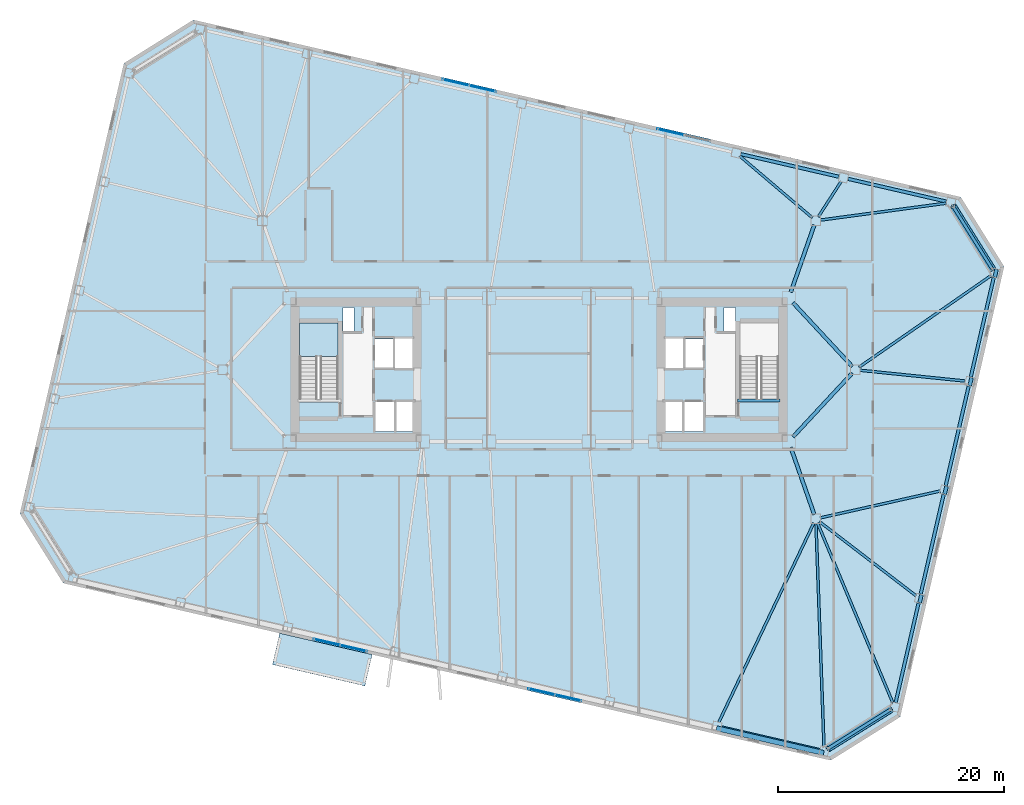
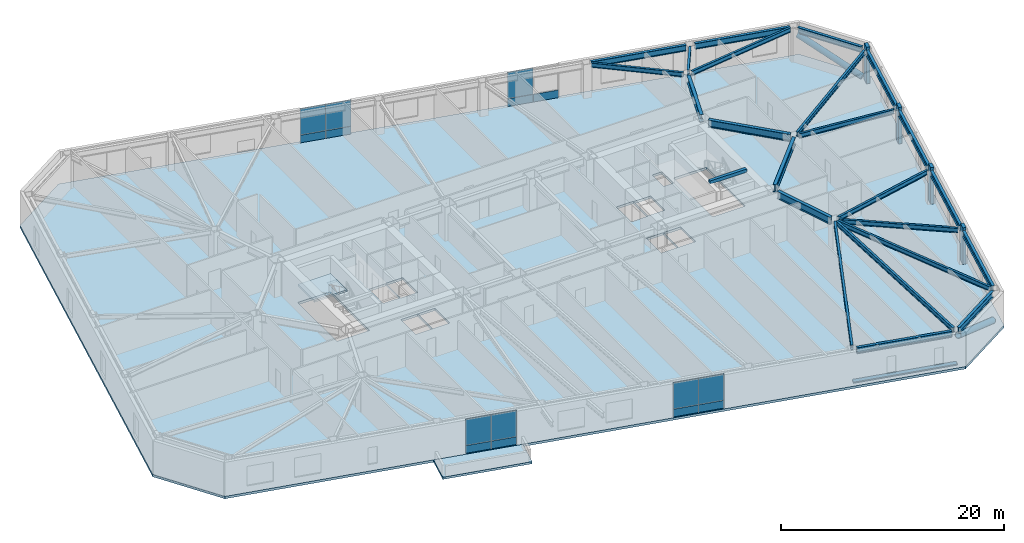
# One storey, part 10 of 22: 24 beams, 15 plates, 7 members, 3 slabs, 5 elements without a shape of their own.
"""IFC4 building model written with IfcOpenShell, lengths in metres."""

from ifc_helpers import new_model, si_unit, direction, frame, origin, origin_2d, place, context, subcontext, project, spatial, polyline, rectangle, hollow_circle, i_section, outline, extrude, material, layer, layer_set, material_profile, profile_set, type_object, element, aggregate, save


model = new_model("IFC4")

# Units and contexts
model_context = context("Model", 3, precision=1e-05, world=origin(), true_north=direction((0.0, 1.0)))
body_context = subcontext(model_context, "Body", "Model", "MODEL_VIEW")
ifc_project = project(units=[si_unit("LENGTHUNIT", "METRE"), si_unit("AREAUNIT", "SQUARE_METRE"), si_unit("VOLUMEUNIT", "CUBIC_METRE"), si_unit("PLANEANGLEUNIT", "RADIAN"), si_unit("MASSUNIT", "GRAM", prefix="KILO")], contexts=[model_context])

# Site, building, storey
site_placement = place(None, origin())
site = spatial("IfcSite", under=ifc_project, at=site_placement, CompositionType="ELEMENT")
building_placement = place(site_placement, origin())
building = spatial("IfcBuilding", under=site, at=building_placement, Name="Tavrogorsk Clinical Tower", CompositionType="ELEMENT")
storey_placement = place(building_placement, frame((0.0, 0.0, 55.39990234375)))
storey = spatial("IfcBuildingStorey", under=building, at=storey_placement, Name="L11", CompositionType="ELEMENT", Elevation=55.39990234375)

# Members
ifc_material_1 = material(Name="Anodised aluminium alloy AW-6063", Category="aluminium")
ifc_material_profile_1 = material_profile(ifc_material_1, rectangle(XDim=0.449951171875, YDim=0.1201171875, at=origin_2d()), Name="ALU-SUNSHADE-450x120")
ifc_profile_set_1 = profile_set([ifc_material_profile_1], Name="Anodised aluminium alloy AW-6063")
member_type_1 = type_object("IfcMemberType", Name="ChicagoSunshade_450x120", PredefinedType="USERDEFINED", material=ifc_profile_set_1)
member_placement = place(storey_placement, frame((15.700439453125, -31.739013671875, 0.18017578125), z_axis=(0.97437219846, -0.224941812182, 0.0), x_axis=(0.224941812182, 0.97437219846, 0.0)))
element("IfcMember", 1, at=member_placement, inside=storey, type_object=member_type_1, Name="L11 South Aluminium Sunshade S7", ObjectType="SUNSHADE", PredefinedType="USERDEFINED", context=body_context, shape_type="SweptSolid", body=[
    extrude(rectangle(XDim=0.449951171875, YDim=0.1201171875, at=origin_2d()), origin(), (0.0, 0.0, 1.0), 9.74853515625),
])
ifc_material_2 = material(Name="Structural steel S440", Category="steel")
ifc_material_profile_2 = material_profile(ifc_material_2, hollow_circle(Radius=0.304931640625, WallThickness=0.02490234375, at=origin_2d()), Name="CHS-610x25")
ifc_profile_set_2 = profile_set([ifc_material_profile_2], Name="Structural steel S440")
member_type_2 = type_object("IfcMemberType", Name="ExoBrace_CHS610", PredefinedType="BRACE", material=ifc_profile_set_2)
for number, where, z_axis, x_axis, name in (
    (2, (31.15185546875, -30.062255859375, 0.442626953125), (-0.794678685861, -0.496570017703, 0.349147538667), (0.529919005048, -0.848048258113, 0.0), "L11 Corner Exoskeleton Brace S8-E1"),
    (3, (40.145751953125, 8.893798828125, 0.442626953125), (-0.496596175948, 0.794664984625, 0.349141518935), (-0.848031606927, -0.529945651603, 0.0), "L11 Corner Exoskeleton Brace E5-N1"),
):
    element("IfcMember", number, at=place(storey_placement, frame(where, z_axis=z_axis, x_axis=x_axis)), inside=storey, type_object=member_type_2, Name=name, PredefinedType="BRACE", context=body_context, shape_type="SweptSolid", body=[
        extrude(hollow_circle(Radius=0.304931640625, WallThickness=0.02490234375, at=origin_2d()), origin(), (0.0, 0.0, 1.0), 7.03173828125),
    ])

# Beams
ifc_material_3 = material(Name="Structural steel S355", Category="steel")
ifc_material_profile_3 = material_profile(ifc_material_3, i_section(OverallWidth=0.219970703125, OverallDepth=0.5, WebThickness=0.012939453125, FlangeThickness=0.02001953125, at=origin_2d()), Name="B-500x220x13x20")
ifc_profile_set_3 = profile_set([ifc_material_profile_3], Name="Structural steel S355")
beam_type_1 = type_object("IfcBeamType", Name="FloorBeam_B500", PredefinedType="BEAM", material=ifc_profile_set_3)
beam_1_placement = place(storey_placement, frame((24.323486328125, -13.570068359375, 3.489990234375), z_axis=(-0.430503237889, -0.90258903282, 0.0), x_axis=(0.90258903282, -0.430503237889, 0.0)))
element("IfcBeam", 4, at=beam_1_placement, inside=storey, type_object=beam_type_1, Name="L11 Radial Floor Beam S7", PredefinedType="BEAM", context=body_context, shape_type="SweptSolid", body=[
    extrude(i_section(OverallWidth=0.219970703125, OverallDepth=0.5, WebThickness=0.012939453125, FlangeThickness=0.02001953125, at=origin_2d()), origin(), (0.0, 0.0, 1.0), 19.527587890625),
])
beam_2_placement = place(storey_placement, frame((24.5146484375, -13.609619140625, 3.489990234375), z_axis=(0.035968399295, -0.999352927775, 0.0), x_axis=(0.999352927775, 0.035968399295, 0.0)))
element("IfcBeam", 5, at=beam_2_placement, inside=storey, type_object=beam_type_1, Name="L11 Radial Floor Beam S8", PredefinedType="BEAM", context=body_context, shape_type="SweptSolid", body=[
    extrude(i_section(OverallWidth=0.219970703125, OverallDepth=0.5, WebThickness=0.012939453125, FlangeThickness=0.02001953125, at=origin_2d()), origin(), (0.0, 0.0, 1.0), 19.751953125),
])
beam_3_placement = place(storey_placement, frame((24.90625, 13.254638671875, 3.489990234375), z_axis=(0.991091561022, 0.133182272357, 0.0), x_axis=(-0.133182272357, 0.991091561022, 0.0)))
element("IfcBeam", 6, at=beam_3_placement, inside=storey, type_object=beam_type_1, Name="L11 Radial Floor Beam N1", PredefinedType="BEAM", context=body_context, shape_type="SweptSolid", body=[
    extrude(i_section(OverallWidth=0.219970703125, OverallDepth=0.5, WebThickness=0.012939453125, FlangeThickness=0.02001953125, at=origin_2d()), origin(), (0.0, 0.0, 1.0), 11.24072265625),
])
beam_4_placement = place(storey_placement, frame((24.722412109375, 13.54443359375, 3.489990234375), z_axis=(0.54237908978, 0.840133872052, 0.0), x_axis=(-0.840133872052, 0.54237908978, 0.0)))
element("IfcBeam", 7, at=beam_4_placement, inside=storey, type_object=beam_type_1, Name="L11 Radial Floor Beam N2", PredefinedType="BEAM", context=body_context, shape_type="SweptSolid", body=[
    extrude(i_section(OverallWidth=0.219970703125, OverallDepth=0.5, WebThickness=0.012939453125, FlangeThickness=0.02001953125, at=origin_2d()), origin(), (0.0, 0.0, 1.0), 3.70361328125),
])
beam_5_placement = place(storey_placement, frame((24.187744140625, 13.465576171875, 3.489990234375), z_axis=(-0.761805700094, 0.647805584496, 0.0), x_axis=(-0.647805584496, -0.761805700094, 0.0)))
element("IfcBeam", 8, at=beam_5_placement, inside=storey, type_object=beam_type_1, Name="L11 Radial Floor Beam N3", PredefinedType="BEAM", context=body_context, shape_type="SweptSolid", body=[
    extrude(i_section(OverallWidth=0.219970703125, OverallDepth=0.5, WebThickness=0.012939453125, FlangeThickness=0.02001953125, at=origin_2d()), origin(), (0.0, 0.0, 1.0), 8.431396484375),
])
beam_6_placement = place(storey_placement, frame((24.658447265625, -13.578125, 3.489990234375), z_axis=(0.386243430459, -0.922396884441, 0.0), x_axis=(0.922396884441, 0.386243430459, 0.0)))
element("IfcBeam", 9, at=beam_6_placement, inside=storey, type_object=beam_type_1, Name="L11 Radial Floor Beam E1", PredefinedType="BEAM", context=body_context, shape_type="SweptSolid", body=[
    extrude(i_section(OverallWidth=0.219970703125, OverallDepth=0.5, WebThickness=0.012939453125, FlangeThickness=0.02001953125, at=origin_2d()), origin(), (0.0, 0.0, 1.0), 17.243408203125),
])
beam_7_placement = place(storey_placement, frame((24.825439453125, -13.449462890625, 3.489990234375), z_axis=(0.7934457884, -0.608640929342, 0.0), x_axis=(0.608640929342, 0.7934457884, 0.0)))
element("IfcBeam", 10, at=beam_7_placement, inside=storey, type_object=beam_type_1, Name="L11 Radial Floor Beam E2", PredefinedType="BEAM", context=body_context, shape_type="SweptSolid", body=[
    extrude(i_section(OverallWidth=0.219970703125, OverallDepth=0.5, WebThickness=0.012939453125, FlangeThickness=0.02001953125, at=origin_2d()), origin(), (0.0, 0.0, 1.0), 10.769287109375),
])
beam_8_placement = place(storey_placement, frame((24.900146484375, -13.1103515625, 3.489990234375), z_axis=(0.975844140255, 0.218467878484, 0.0), x_axis=(-0.218467878484, 0.975844140255, 0.0)))
element("IfcBeam", 11, at=beam_8_placement, inside=storey, type_object=beam_type_1, Name="L11 Radial Floor Beam E3", PredefinedType="BEAM", context=body_context, shape_type="SweptSolid", body=[
    extrude(i_section(OverallWidth=0.219970703125, OverallDepth=0.5, WebThickness=0.012939453125, FlangeThickness=0.02001953125, at=origin_2d()), origin(), (0.0, 0.0, 1.0), 10.876708984375),
])
beam_9_placement = place(storey_placement, frame((28.407958984375, -0.041748046875, 3.489990234375), z_axis=(0.994791610226, -0.101929643501, 0.0), x_axis=(0.101929643501, 0.994791610226, 0.0)))
element("IfcBeam", 12, at=beam_9_placement, inside=storey, type_object=beam_type_1, Name="L11 Radial Floor Beam E4", PredefinedType="BEAM", context=body_context, shape_type="SweptSolid", body=[
    extrude(i_section(OverallWidth=0.219970703125, OverallDepth=0.5, WebThickness=0.012939453125, FlangeThickness=0.02001953125, at=origin_2d()), origin(), (0.0, 0.0, 1.0), 9.365234375),
])
beam_10_placement = place(storey_placement, frame((28.3369140625, 0.233642578125, 3.489990234375), z_axis=(0.82154295725, 0.570146620961, 0.0), x_axis=(-0.570146620961, 0.82154295725, 0.0)))
element("IfcBeam", 13, at=beam_10_placement, inside=storey, type_object=beam_type_1, Name="L11 Radial Floor Beam E5", PredefinedType="BEAM", context=body_context, shape_type="SweptSolid", body=[
    extrude(i_section(OverallWidth=0.219970703125, OverallDepth=0.5, WebThickness=0.012939453125, FlangeThickness=0.02001953125, at=origin_2d()), origin(), (0.0, 0.0, 1.0), 14.212646484375),
])

# Members
ifc_material_4 = material(Name="Precast concrete B45 with limestone cladding", Category="masonry")
ifc_material_profile_4 = material_profile(ifc_material_4, rectangle(XDim=0.320068359375, YDim=0.719970703125, at=origin_2d()), Name="LIMESTONE-FIN-320x720")
ifc_profile_set_4 = profile_set([ifc_material_profile_4], Name="Precast concrete B45 with limestone cladding")
member_type_3 = type_object("IfcMemberType", Name="LimestonePleatFin_320x720", PredefinedType="USERDEFINED", material=ifc_profile_set_4)
for number, where, z_axis, x_axis, name in (
    (14, (33.772216796875, -20.2705078125, 0.0), (0.0, 0.0, 1.0), (0.974370064785, -0.224951054344, 0.0), "L11 E Pleated Stone Fin 1"),
    (15, (35.990234375, -10.6630859375, 0.0), (0.0, 0.0, 1.0), (0.974370064785, -0.224951054344, 0.0), "L11 E Pleated Stone Fin 2"),
    (16, (38.208251953125, -1.055908203125, 0.0), (0.0, 0.0, 1.0), (0.974370064785, -0.224951054344, 0.0), "L11 E Pleated Stone Fin 3"),
    (17, (40.42626953125, 8.551513671875, 0.0), (0.0, 0.0, 1.0), (0.974370064785, -0.224951054344, 0.0), "L11 E Pleated Stone Fin 4"),
):
    element("IfcMember", number, at=place(storey_placement, frame(where, z_axis=z_axis, x_axis=x_axis)), inside=storey, type_object=member_type_3, Name=name, ObjectType="FIN", PredefinedType="USERDEFINED", context=body_context, shape_type="SweptSolid", body=[
        extrude(rectangle(XDim=0.320068359375, YDim=0.719970703125, at=origin_2d()), origin(), (0.0, 0.0, 1.0), 4.0),
    ])

# Beams
ifc_material_5 = material(Name="Structural steel S390", Category="steel")
ifc_material_profile_5 = material_profile(ifc_material_5, i_section(OverallWidth=0.320068359375, OverallDepth=0.800048828125, WebThickness=0.02001953125, FlangeThickness=0.033935546875, at=origin_2d()), Name="B-800x320x20x34")
ifc_profile_set_5 = profile_set([ifc_material_profile_5], Name="Structural steel S390")
beam_type_2 = type_object("IfcBeamType", Name="PrimaryGirder_B800", PredefinedType="USERDEFINED", material=ifc_profile_set_5)
for number, where, z_axis, x_axis, name in (
    (18, (24.364501953125, -12.81298828125, 3.340087890625), (-0.330668611543, 0.943746930771, 0.0), (-0.943746930771, -0.330668611543, 0.0), "L11 Spine Link Girder OPG-2"),
    (19, (24.364501953125, 12.81298828125, 3.340087890625), (-0.330668611543, -0.943746930771, 0.0), (0.943746930771, -0.330668611543, 0.0), "L11 Spine Link Girder OPG-4"),
):
    element("IfcBeam", number, at=place(storey_placement, frame(where, z_axis=z_axis, x_axis=x_axis)), inside=storey, type_object=beam_type_2, Name=name, ObjectType="GIRDER", PredefinedType="USERDEFINED", context=body_context, shape_type="SweptSolid", body=[
        extrude(i_section(OverallWidth=0.320068359375, OverallDepth=0.800048828125, WebThickness=0.02001953125, FlangeThickness=0.033935546875, at=origin_2d()), origin(), (0.0, 0.0, 1.0), 6.288330078125),
    ])
for number, where, z_axis, x_axis, name in (
    (20, (27.720947265625, -0.30029296875, 3.340087890625), (-0.680671250221, -0.732589004233, 0.0), (0.732589004233, -0.680671250221, 0.0), "L11 Spine Link Girder OPG-7"),
    (21, (27.720947265625, 0.30029296875, 3.340087890625), (-0.680671250221, 0.732589004233, 0.0), (-0.732589004233, -0.680671250221, 0.0), "L11 Spine Link Girder OPG-8"),
):
    element("IfcBeam", number, at=place(storey_placement, frame(where, z_axis=z_axis, x_axis=x_axis)), inside=storey, type_object=beam_type_2, Name=name, ObjectType="GIRDER", PredefinedType="USERDEFINED", context=body_context, shape_type="SweptSolid", body=[
        extrude(i_section(OverallWidth=0.320068359375, OverallDepth=0.800048828125, WebThickness=0.02001953125, FlangeThickness=0.033935546875, at=origin_2d()), origin(), (0.0, 0.0, 1.0), 7.697998046875),
    ])
ifc_material_6 = material(Name="Structural steel S390", Category="steel")
ifc_material_profile_6 = material_profile(ifc_material_6, i_section(OverallWidth=0.280029296875, OverallDepth=0.64990234375, WebThickness=0.01611328125, FlangeThickness=0.02490234375, at=origin_2d()), Name="B-650x280x16x25")
ifc_profile_set_6 = profile_set([ifc_material_profile_6], Name="Structural steel S390")
beam_type_3 = type_object("IfcBeamType", Name="SpandrelBeam_B650", PredefinedType="SPANDREL", material=ifc_profile_set_6)
beam_11_placement = place(storey_placement, frame((16.138427734375, -31.655517578125, 3.4150390625), z_axis=(0.974372766602, -0.224939351168, 0.0), x_axis=(0.224939351168, 0.974372766602, 0.0)))
element("IfcBeam", 22, at=beam_11_placement, inside=storey, type_object=beam_type_3, Name="L11 Perimeter Spandrel S7-S8", PredefinedType="SPANDREL", context=body_context, shape_type="SweptSolid", body=[
    extrude(i_section(OverallWidth=0.280029296875, OverallDepth=0.64990234375, WebThickness=0.01611328125, FlangeThickness=0.02490234375, at=origin_2d()), origin(), (0.0, 0.0, 1.0), 8.9326171875),
])
beam_12_placement = place(storey_placement, frame((25.585693359375, -33.540283203125, 3.4150390625), z_axis=(0.848061235793, 0.529898235839, 0.0), x_axis=(-0.529898235839, 0.848061235793, 0.0)))
element("IfcBeam", 23, at=beam_12_placement, inside=storey, type_object=beam_type_3, Name="L11 Perimeter Spandrel S8-E1", PredefinedType="SPANDREL", context=body_context, shape_type="SweptSolid", body=[
    extrude(i_section(OverallWidth=0.280029296875, OverallDepth=0.64990234375, WebThickness=0.01611328125, FlangeThickness=0.02490234375, at=origin_2d()), origin(), (0.0, 0.0, 1.0), 6.537841796875),
])
beam_13_placement = place(storey_placement, frame((31.56787109375, -29.462158203125, 3.4150390625), z_axis=(0.224971881043, 0.974365256328, 0.0), x_axis=(-0.974365256328, 0.224971881043, 0.0)))
element("IfcBeam", 24, at=beam_13_placement, inside=storey, type_object=beam_type_3, Name="L11 Perimeter Spandrel E1-E2", PredefinedType="SPANDREL", context=body_context, shape_type="SweptSolid", body=[
    extrude(i_section(OverallWidth=0.280029296875, OverallDepth=0.64990234375, WebThickness=0.01611328125, FlangeThickness=0.02490234375, at=origin_2d()), origin(), (0.0, 0.0, 1.0), 9.044189453125),
])
for number, where, z_axis, x_axis, name in (
    (25, (33.785888671875, -19.85498046875, 3.4150390625), (0.224946252597, 0.974371173343, 0.0), (-0.974371173343, 0.224946252597, 0.0), "L11 Perimeter Spandrel E2-E3"),
    (26, (36.00390625, -10.24755859375, 3.4150390625), (0.224946252597, 0.974371173343, 0.0), (-0.974371173343, 0.224946252597, 0.0), "L11 Perimeter Spandrel E3-E4"),
):
    element("IfcBeam", number, at=place(storey_placement, frame(where, z_axis=z_axis, x_axis=x_axis)), inside=storey, type_object=beam_type_3, Name=name, PredefinedType="SPANDREL", context=body_context, shape_type="SweptSolid", body=[
        extrude(i_section(OverallWidth=0.280029296875, OverallDepth=0.64990234375, WebThickness=0.01611328125, FlangeThickness=0.02490234375, at=origin_2d()), origin(), (0.0, 0.0, 1.0), 9.0439453125),
    ])
beam_14_placement = place(storey_placement, frame((38.221923828125, -0.640380859375, 3.4150390625), z_axis=(0.224971881043, 0.974365256328, 0.0), x_axis=(-0.974365256328, 0.224971881043, 0.0)))
element("IfcBeam", 27, at=beam_14_placement, inside=storey, type_object=beam_type_3, Name="L11 Perimeter Spandrel E4-E5", PredefinedType="SPANDREL", context=body_context, shape_type="SweptSolid", body=[
    extrude(i_section(OverallWidth=0.280029296875, OverallDepth=0.64990234375, WebThickness=0.01611328125, FlangeThickness=0.02490234375, at=origin_2d()), origin(), (0.0, 0.0, 1.0), 9.044189453125),
])
beam_15_placement = place(storey_placement, frame((40.132080078125, 8.91552734375, 3.4150390625), z_axis=(-0.529925092475, 0.848044454239, 0.0), x_axis=(-0.848044454239, -0.529925092475, 0.0)))
element("IfcBeam", 28, at=beam_15_placement, inside=storey, type_object=beam_type_3, Name="L11 Perimeter Spandrel E5-N1", PredefinedType="SPANDREL", context=body_context, shape_type="SweptSolid", body=[
    extrude(i_section(OverallWidth=0.280029296875, OverallDepth=0.64990234375, WebThickness=0.01611328125, FlangeThickness=0.02490234375, at=origin_2d()), origin(), (0.0, 0.0, 1.0), 6.537841796875),
])
for number, where, z_axis, x_axis, name in (
    (29, (36.0537109375, 14.897705078125, 3.4150390625), (-0.974366775889, 0.224965299645, 0.0), (-0.224965299645, -0.974366775889, 0.0), "L11 Perimeter Spandrel N1-N2"),
    (30, (26.554931640625, 17.090576171875, 3.4150390625), (-0.974366775889, 0.224965299645, 0.0), (-0.224965299645, -0.974366775889, 0.0), "L11 Perimeter Spandrel N2-N3"),
):
    element("IfcBeam", number, at=place(storey_placement, frame(where, z_axis=z_axis, x_axis=x_axis)), inside=storey, type_object=beam_type_3, Name=name, PredefinedType="SPANDREL", context=body_context, shape_type="SweptSolid", body=[
        extrude(i_section(OverallWidth=0.280029296875, OverallDepth=0.64990234375, WebThickness=0.01611328125, FlangeThickness=0.02490234375, at=origin_2d()), origin(), (0.0, 0.0, 1.0), 8.9326171875),
    ])
ifc_material_7 = material(Name="Concrete B60", Category="concrete")
ifc_material_profile_7 = material_profile(ifc_material_7, rectangle(XDim=0.300048828125, YDim=0.35009765625, at=origin_2d()), Name="RC-SHB-300x350")
ifc_profile_set_7 = profile_set([ifc_material_profile_7], Name="Concrete B60")
beam_type_4 = type_object("IfcBeamType", Name="StairHeaderBeam_RC300x350", PredefinedType="BEAM", material=ifc_profile_set_7)
beam_16_placement = place(storey_placement, frame((17.550048828125, -2.719970703125, 3.8251953125), z_axis=(1.0, 0.0, 0.0), x_axis=(0.0, 1.0, 0.0)))
element("IfcBeam", 31, at=beam_16_placement, inside=storey, type_object=beam_type_4, Name="L12 ST-E Landing Header Beam", PredefinedType="BEAM", context=body_context, shape_type="SweptSolid", body=[
    extrude(rectangle(XDim=0.300048828125, YDim=0.35009765625, at=origin_2d()), origin(), (0.0, 0.0, 1.0), 3.800048828125),
])

# Curtain wall, plates
ifc_material_8 = material(Name="Anodised aluminium and triple IGU glazing", Category="aluminium")
ifc_layer_1 = layer(ifc_material_8, 0.179931640625)
ifc_layer_set_1 = layer_set([ifc_layer_1], Name="Anodised aluminium and triple IGU glazing")
curtain_wall_type_1 = type_object("IfcCurtainWallType", Name="CW3_SouthSlot", PredefinedType="NOTDEFINED", material=ifc_layer_set_1)
curtain_wall_1_placement = place(storey_placement, origin())
curtain_wall_1 = element("IfcCurtainWall", 32, at=curtain_wall_1_placement, inside=storey, type_object=curtain_wall_type_1, Name="L11 Curtain Wall CW-L11-S-SLOT-1", PredefinedType="NOTDEFINED")
ifc_material_9 = material(Name="Honed Podolsk limestone spandrel panel", Category="masonry")
ifc_layer_2 = layer(ifc_material_9, 0.080078125)
ifc_layer_set_2 = layer_set([ifc_layer_2], Name="Honed Podolsk limestone spandrel panel")
plate_type_1 = type_object("IfcPlateType", Name="CwSpandrelStonePanel_80", PredefinedType="CURTAIN_PANEL", material=ifc_layer_set_2)
plate_1_placement = place(storey_placement, frame((-18.79638671875, -24.113525390625, 0.002197265625), z_axis=(0.0, 0.0, 1.0), x_axis=(0.974370046851, -0.224951132027, 0.0)))
plate_1 = element("IfcPlate", 33, at=plate_1_placement, type_object=plate_type_1, Name="CW-L11-S-SLOT-1 Stone Spandrel Panel 1", PredefinedType="CURTAIN_PANEL", context=body_context, shape_type="SweptSolid", body=[
    extrude(rectangle(XDim=2.39208984375, YDim=0.080078125, at=origin_2d()), origin(), (0.0, 0.0, 1.0), 0.8359375),
])
plate_2_placement = place(storey_placement, frame((-16.442138671875, -24.656982421875, 0.002197265625), z_axis=(0.0, 0.0, 1.0), x_axis=(0.974370046851, -0.224951132027, 0.0)))
plate_2 = element("IfcPlate", 34, at=plate_2_placement, type_object=plate_type_1, Name="CW-L11-S-SLOT-1 Stone Spandrel Panel 2", PredefinedType="CURTAIN_PANEL", context=body_context, shape_type="SweptSolid", body=[
    extrude(rectangle(XDim=2.39208984375, YDim=0.080078125, at=origin_2d()), origin(), (0.0, 0.0, 1.0), 0.8359375),
])

curtain_wall_2_placement = place(storey_placement, origin())
curtain_wall_2 = element("IfcCurtainWall", 35, at=curtain_wall_2_placement, inside=storey, type_object=curtain_wall_type_1, Name="L11 Curtain Wall CW-L11-S-SLOT-2", PredefinedType="NOTDEFINED")
plate_3_placement = place(storey_placement, frame((0.201171875, -28.49951171875, 0.002197265625), z_axis=(0.0, 0.0, 1.0), x_axis=(0.974370102963, -0.224950888978, 0.0)))
plate_3 = element("IfcPlate", 36, at=plate_3_placement, type_object=plate_type_1, Name="CW-L11-S-SLOT-2 Stone Spandrel Panel 1", PredefinedType="CURTAIN_PANEL", context=body_context, shape_type="SweptSolid", body=[
    extrude(rectangle(XDim=2.39208984375, YDim=0.080078125, at=origin_2d()), origin(), (0.0, 0.0, 1.0), 0.8359375),
])
plate_4_placement = place(storey_placement, frame((2.55517578125, -29.04296875, 0.002197265625), z_axis=(0.0, 0.0, 1.0), x_axis=(0.974370102963, -0.224950888978, 0.0)))
plate_4 = element("IfcPlate", 37, at=plate_4_placement, type_object=plate_type_1, Name="CW-L11-S-SLOT-2 Stone Spandrel Panel 2", PredefinedType="CURTAIN_PANEL", context=body_context, shape_type="SweptSolid", body=[
    extrude(rectangle(XDim=2.39208984375, YDim=0.080078125, at=origin_2d()), origin(), (0.0, 0.0, 1.0), 0.8359375),
])

ifc_material_10 = material(Name="Anodised aluminium and triple IGU glazing", Category="aluminium")
ifc_layer_3 = layer(ifc_material_10, 0.179931640625)
ifc_layer_set_3 = layer_set([ifc_layer_3], Name="Anodised aluminium and triple IGU glazing")
curtain_wall_type_2 = type_object("IfcCurtainWallType", Name="CW2_NorthSlot", PredefinedType="NOTDEFINED", material=ifc_layer_set_3)
curtain_wall_3_placement = place(storey_placement, origin())
curtain_wall_3 = element("IfcCurtainWall", 38, at=curtain_wall_3_placement, inside=storey, type_object=curtain_wall_type_2, Name="L11 Curtain Wall CW-L11-N-SLOT-1", PredefinedType="NOTDEFINED")
plate_5_placement = place(storey_placement, frame((-5.001220703125, 24.8994140625, 0.002197265625), z_axis=(0.0, 0.0, 1.0), x_axis=(-0.974370102963, 0.224950888978, 0.0)))
plate_5 = element("IfcPlate", 39, at=plate_5_placement, type_object=plate_type_1, Name="CW-L11-N-SLOT-1 Stone Spandrel Panel 1", PredefinedType="CURTAIN_PANEL", context=body_context, shape_type="SweptSolid", body=[
    extrude(rectangle(XDim=2.39208984375, YDim=0.080078125, at=origin_2d()), origin(), (0.0, 0.0, 1.0), 0.8359375),
])
plate_6_placement = place(storey_placement, frame((-7.355224609375, 25.44287109375, 0.002197265625), z_axis=(0.0, 0.0, 1.0), x_axis=(-0.974370102963, 0.224950888978, 0.0)))
plate_6 = element("IfcPlate", 40, at=plate_6_placement, type_object=plate_type_1, Name="CW-L11-N-SLOT-1 Stone Spandrel Panel 2", PredefinedType="CURTAIN_PANEL", context=body_context, shape_type="SweptSolid", body=[
    extrude(rectangle(XDim=2.39208984375, YDim=0.080078125, at=origin_2d()), origin(), (0.0, 0.0, 1.0), 0.8359375),
])

curtain_wall_4_placement = place(storey_placement, origin())
curtain_wall_4 = element("IfcCurtainWall", 41, at=curtain_wall_4_placement, inside=storey, type_object=curtain_wall_type_2, Name="L11 Curtain Wall CW-L11-N-SLOT-2", PredefinedType="NOTDEFINED")
plate_7_placement = place(storey_placement, frame((13.996337890625, 20.513427734375, 0.002197265625), z_axis=(0.0, 0.0, 1.0), x_axis=(-0.974370046851, 0.224951132027, 0.0)))
plate_7 = element("IfcPlate", 42, at=plate_7_placement, type_object=plate_type_1, Name="CW-L11-N-SLOT-2 Stone Spandrel Panel 1", PredefinedType="CURTAIN_PANEL", context=body_context, shape_type="SweptSolid", body=[
    extrude(rectangle(XDim=2.39208984375, YDim=0.080078125, at=origin_2d()), origin(), (0.0, 0.0, 1.0), 0.8359375),
])
plate_8_placement = place(storey_placement, frame((11.642333984375, 21.05712890625, 0.002197265625), z_axis=(0.0, 0.0, 1.0), x_axis=(-0.974370046851, 0.224951132027, 0.0)))
plate_8 = element("IfcPlate", 43, at=plate_8_placement, type_object=plate_type_1, Name="CW-L11-N-SLOT-2 Stone Spandrel Panel 2", PredefinedType="CURTAIN_PANEL", context=body_context, shape_type="SweptSolid", body=[
    extrude(rectangle(XDim=2.39208984375, YDim=0.080078125, at=origin_2d()), origin(), (0.0, 0.0, 1.0), 0.8359375),
])

# Plate
ifc_material_11 = material(Name="Triple low-E argon insulated glass", Category="glass")
ifc_layer_4 = layer(ifc_material_11, 0.048095703125)
ifc_layer_set_4 = layer_set([ifc_layer_4], Name="Triple low-E argon insulated glass")
plate_type_2 = type_object("IfcPlateType", Name="CwVisionGlassPanel_48", PredefinedType="CURTAIN_PANEL", material=ifc_layer_set_4)
plate_9_placement = place(storey_placement, frame((-18.79638671875, -24.113525390625, 0.862060546875), z_axis=(0.0, 0.0, 1.0), x_axis=(0.974370046851, -0.224951132027, 0.0)))
plate_9 = element("IfcPlate", 44, at=plate_9_placement, type_object=plate_type_2, Name="CW-L11-S-SLOT-1 Glazing Panel 1", PredefinedType="CURTAIN_PANEL", context=body_context, shape_type="SweptSolid", body=[
    extrude(rectangle(XDim=2.39208984375, YDim=0.048095703125, at=origin_2d()), origin(), (0.0, 0.0, 1.0), 2.8759765625),
])

plate_10_placement = place(storey_placement, frame((-16.442138671875, -24.656982421875, 0.862060546875), z_axis=(0.0, 0.0, 1.0), x_axis=(0.974370046851, -0.224951132027, 0.0)))
plate_10 = element("IfcPlate", 45, at=plate_10_placement, type_object=plate_type_2, Name="CW-L11-S-SLOT-1 Glazing Panel 2", PredefinedType="CURTAIN_PANEL", context=body_context, shape_type="SweptSolid", body=[
    extrude(rectangle(XDim=2.39208984375, YDim=0.048095703125, at=origin_2d()), origin(), (0.0, 0.0, 1.0), 2.8759765625),
])

aggregate(curtain_wall_1, [plate_1, plate_9, plate_2, plate_10])

plate_11_placement = place(storey_placement, frame((0.201171875, -28.49951171875, 0.862060546875), z_axis=(0.0, 0.0, 1.0), x_axis=(0.974370102963, -0.224950888978, 0.0)))
plate_11 = element("IfcPlate", 46, at=plate_11_placement, type_object=plate_type_2, Name="CW-L11-S-SLOT-2 Glazing Panel 1", PredefinedType="CURTAIN_PANEL", context=body_context, shape_type="SweptSolid", body=[
    extrude(rectangle(XDim=2.39208984375, YDim=0.048095703125, at=origin_2d()), origin(), (0.0, 0.0, 1.0), 2.8759765625),
])

plate_12_placement = place(storey_placement, frame((2.55517578125, -29.04296875, 0.862060546875), z_axis=(0.0, 0.0, 1.0), x_axis=(0.974370102963, -0.224950888978, 0.0)))
plate_12 = element("IfcPlate", 47, at=plate_12_placement, type_object=plate_type_2, Name="CW-L11-S-SLOT-2 Glazing Panel 2", PredefinedType="CURTAIN_PANEL", context=body_context, shape_type="SweptSolid", body=[
    extrude(rectangle(XDim=2.39208984375, YDim=0.048095703125, at=origin_2d()), origin(), (0.0, 0.0, 1.0), 2.8759765625),
])

aggregate(curtain_wall_2, [plate_3, plate_11, plate_4, plate_12])

plate_13_placement = place(storey_placement, frame((-5.001220703125, 24.8994140625, 0.862060546875), z_axis=(0.0, 0.0, 1.0), x_axis=(-0.974370102963, 0.224950888978, 0.0)))
plate_13 = element("IfcPlate", 48, at=plate_13_placement, type_object=plate_type_2, Name="CW-L11-N-SLOT-1 Glazing Panel 1", PredefinedType="CURTAIN_PANEL", context=body_context, shape_type="SweptSolid", body=[
    extrude(rectangle(XDim=2.39208984375, YDim=0.048095703125, at=origin_2d()), origin(), (0.0, 0.0, 1.0), 2.8759765625),
])

plate_14_placement = place(storey_placement, frame((-7.355224609375, 25.44287109375, 0.862060546875), z_axis=(0.0, 0.0, 1.0), x_axis=(-0.974370102963, 0.224950888978, 0.0)))
plate_14 = element("IfcPlate", 49, at=plate_14_placement, type_object=plate_type_2, Name="CW-L11-N-SLOT-1 Glazing Panel 2", PredefinedType="CURTAIN_PANEL", context=body_context, shape_type="SweptSolid", body=[
    extrude(rectangle(XDim=2.39208984375, YDim=0.048095703125, at=origin_2d()), origin(), (0.0, 0.0, 1.0), 2.8759765625),
])

aggregate(curtain_wall_3, [plate_5, plate_13, plate_6, plate_14])

plate_15_placement = place(storey_placement, frame((11.642333984375, 21.05712890625, 0.862060546875), z_axis=(0.0, 0.0, 1.0), x_axis=(-0.974370046851, 0.224951132027, 0.0)))
plate_15 = element("IfcPlate", 50, at=plate_15_placement, type_object=plate_type_2, Name="CW-L11-N-SLOT-2 Glazing Panel 2", PredefinedType="CURTAIN_PANEL", context=body_context, shape_type="SweptSolid", body=[
    extrude(rectangle(XDim=2.39208984375, YDim=0.048095703125, at=origin_2d()), origin(), (0.0, 0.0, 1.0), 2.8759765625),
])

aggregate(curtain_wall_4, [plate_7, plate_8, plate_15])

# Slab
ifc_material_12 = material(Name="Concrete B60", Category="concrete")
ifc_layer_5 = layer(ifc_material_12, 0.239990234375)
ifc_layer_set_5 = layer_set([ifc_layer_5], Name="Concrete B60")
slab_type_1 = type_object("IfcSlabType", Name="DayroomSlab_240", PredefinedType="FLOOR", material=ifc_layer_set_5)
slab_1_placement = place(storey_placement, frame((0.0, 0.0, -0.239990234375)))
element("IfcSlab", 51, at=slab_1_placement, inside=storey, type_object=slab_type_1, Name="L11 Day-Room Box Roof DRB-01", PredefinedType="ROOF", context=body_context, shape_type="SweptSolid", body=[
    extrude(outline(polyline([(-15.425537109375, -27.9912109375), (-23.6103515625, -26.1015625), (-22.96923828125, -23.32470703125), (-14.784423828125, -25.214111328125), (-15.425537109375, -27.9912109375)])), origin(), (0.0, 0.0, 1.0), 0.239990234375),
])

# Stair, slab
ifc_material_13 = material(Name="Concrete B60", Category="concrete")
stair_type = type_object("IfcStairType", Name="CoreStairAssembly", PredefinedType="HALF_TURN_STAIR", material=ifc_material_13)
stair_placement = place(storey_placement, origin())
stair = element("IfcStair", 52, at=stair_placement, inside=storey, type_object=stair_type, Name="L11 ST-W", PredefinedType="HALF_TURN_STAIR")
ifc_material_14 = material(Name="Concrete B60", Category="concrete")
ifc_layer_6 = layer(ifc_material_14, 0.199951171875)
ifc_layer_set_6 = layer_set([ifc_layer_6], Name="Concrete B60")
slab_type_2 = type_object("IfcSlabType", Name="StairLanding_200", PredefinedType="LANDING", material=ifc_layer_set_6)
slab_2_placement = place(storey_placement, frame((0.0, 0.0, 1.800048828125)))
slab_2 = element("IfcSlab", 53, at=slab_2_placement, type_object=slab_type_2, Name="ST-W landing 1", PredefinedType="LANDING", context=body_context, shape_type="SweptSolid", body=[
    extrude(outline(polyline([(-17.800048828125, 1.1650390625), (-17.800048828125, 4.125), (-21.199951171875, 4.125), (-21.199951171875, 1.1650390625), (-17.800048828125, 1.1650390625)])), origin(), (0.0, 0.0, 1.0), 0.199951171875),
])
aggregate(stair, [slab_2])

# Slab
ifc_material_15 = material(Name="Concrete B60", Category="concrete")
ifc_layer_7 = layer(ifc_material_15, 0.260009765625)
ifc_layer_set_7 = layer_set([ifc_layer_7], Name="Concrete B60")
slab_type_3 = type_object("IfcSlabType", Name="WardSlab_260", PredefinedType="FLOOR", material=ifc_layer_set_7)
slab_3_placement = place(storey_placement, frame((0.0, 0.0, -0.260009765625)))
element("IfcSlab", 54, at=slab_3_placement, inside=storey, type_object=slab_type_3, Name="L11 Structural Slab", PredefinedType="FLOOR", context=body_context, shape_type="SweptSolid", body=[
    extrude(outline(polyline([(-42.06689453125, -18.91552734375), (25.749267578125, -34.572265625), (31.98583984375, -30.67529296875), (41.163818359375, 9.0791015625), (37.266845703125, 15.315673828125), (-30.54931640625, 30.97216796875), (-36.785888671875, 27.0751953125), (-45.9638671875, -12.67919921875), (-42.06689453125, -18.91552734375)]), holes=[polyline([(-17.800048828125, -2.8798828125), (-17.800048828125, 4.125), (-21.199951171875, 4.125), (-21.199951171875, -2.8798828125), (-17.800048828125, -2.8798828125)]), polyline([(21.199951171875, -2.8798828125), (21.199951171875, 4.125), (17.800048828125, 4.125), (17.800048828125, -2.8798828125), (21.199951171875, -2.8798828125)]), polyline([(-14.6201171875, 0.169921875), (-12.860107421875, 0.169921875), (-12.860107421875, 2.72998046875), (-14.6201171875, 2.72998046875), (-14.6201171875, 0.169921875)]), polyline([(-14.530029296875, -5.47998046875), (-12.77001953125, -5.47998046875), (-12.77001953125, -2.820068359375), (-14.530029296875, -2.820068359375), (-14.530029296875, -5.47998046875)]), polyline([(-12.72998046875, -5.47998046875), (-10.969970703125, -5.47998046875), (-10.969970703125, -2.820068359375), (-12.72998046875, -2.820068359375), (-12.72998046875, -5.47998046875)]), polyline([(-12.840087890625, 0.1201171875), (-11.080078125, 0.1201171875), (-11.080078125, 2.780029296875), (-12.840087890625, 2.780029296875), (-12.840087890625, 0.1201171875)]), polyline([(12.860107421875, 0.169921875), (14.6201171875, 0.169921875), (14.6201171875, 2.72998046875), (12.860107421875, 2.72998046875), (12.860107421875, 0.169921875)]), polyline([(12.77001953125, -5.47998046875), (14.530029296875, -5.47998046875), (14.530029296875, -2.820068359375), (12.77001953125, -2.820068359375), (12.77001953125, -5.47998046875)]), polyline([(10.969970703125, -5.47998046875), (12.72998046875, -5.47998046875), (12.72998046875, -2.820068359375), (10.969970703125, -2.820068359375), (10.969970703125, -5.47998046875)]), polyline([(11.080078125, 0.1201171875), (12.840087890625, 0.1201171875), (12.840087890625, 2.780029296875), (11.080078125, 2.780029296875), (11.080078125, 0.1201171875)]), polyline([(-17.3798828125, 3.449951171875), (-16.3798828125, 3.449951171875), (-16.3798828125, 5.5), (-17.3798828125, 5.5), (-17.3798828125, 3.449951171875)]), polyline([(16.3798828125, 3.449951171875), (17.3798828125, 3.449951171875), (17.3798828125, 5.5), (16.3798828125, 5.5), (16.3798828125, 3.449951171875)])]), origin(), (0.0, 0.0, 1.0), 0.260009765625),
])

save(model, "model.ifc")
